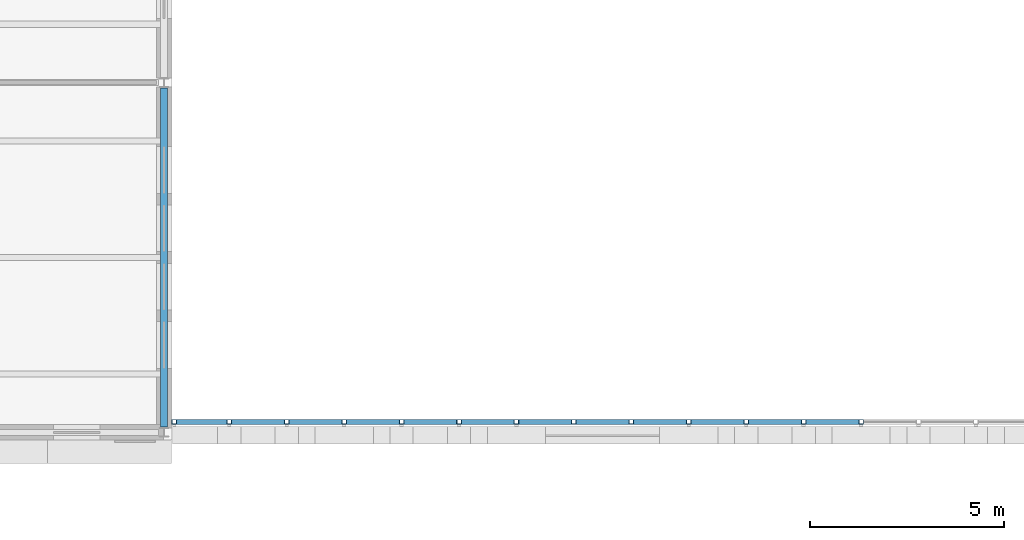
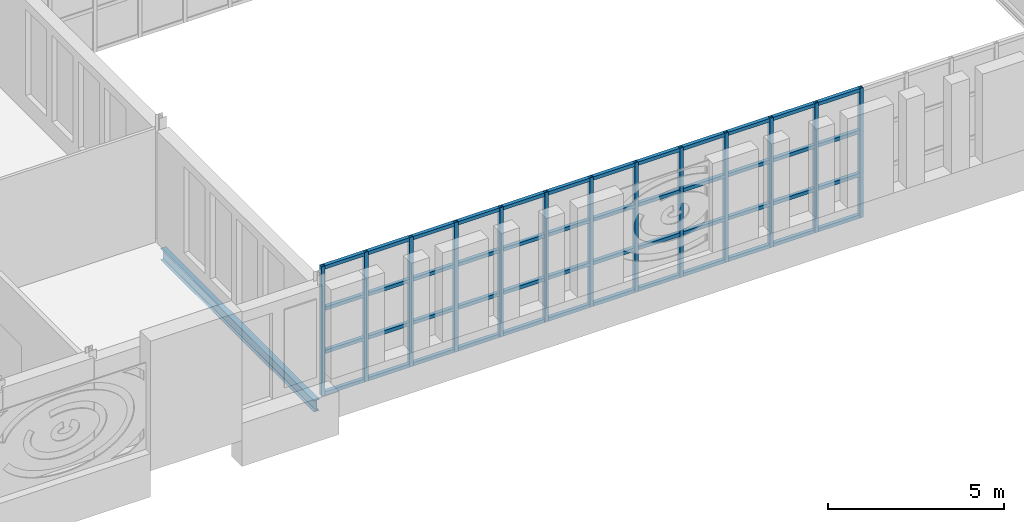
# One storey, part 28 of 131: 61 members, 1 beam, 1 element without a shape of its own.
"""IFC4 building model written with IfcOpenShell, lengths in metres."""

from ifc_helpers import new_model, si_unit, direction, frame, origin, origin_2d, place, context, subcontext, project, spatial, hollow_rectangle, i_section, extrude, material, material_profile, profile_set, type_object, element, aggregate, save


model = new_model("IFC4")

# Units and contexts
model_context = context("Model", 3, precision=1e-05, world=origin(), true_north=direction((0.0, 1.0)))
body_context = subcontext(model_context, "Body", "Model", "MODEL_VIEW")
ifc_project = project(units=[si_unit("LENGTHUNIT", "METRE"), si_unit("AREAUNIT", "SQUARE_METRE"), si_unit("VOLUMEUNIT", "CUBIC_METRE"), si_unit("PLANEANGLEUNIT", "RADIAN"), si_unit("MASSUNIT", "GRAM", prefix="KILO")], contexts=[model_context])

# Site, building, storey
site_placement = place(None, origin())
site = spatial("IfcSite", under=ifc_project, at=site_placement, CompositionType="ELEMENT")
building_placement = place(site_placement, origin())
building = spatial("IfcBuilding", under=site, at=building_placement, Name="Golden Quay Civic Hall", CompositionType="ELEMENT")
storey_placement = place(building_placement, frame((0.0, 0.0, 9.89990234375)))
storey = spatial("IfcBuildingStorey", under=building, at=storey_placement, Name="L02", CompositionType="ELEMENT", Elevation=9.89990234375)

# Beam
ifc_material_1 = material(Name="Steel S355", Category="steel")
ifc_material_profile_1 = material_profile(ifc_material_1, i_section(OverallWidth=0.179931640625, OverallDepth=0.39990234375, WebThickness=0.008544921875, FlangeThickness=0.013427734375, FilletRadius=0.02099609375, at=origin_2d()), Name="IPE 400")
ifc_profile_set_1 = profile_set([ifc_material_profile_1], Name="Steel S355")
beam_type = type_object("IfcBeamType", Name="Steel beam IPE 400", PredefinedType="BEAM", material=ifc_profile_set_1)
beam_placement = place(storey_placement, frame((72.0, 0.135009765625, -0.39990234375), z_axis=(0.0, 1.0, 0.0), x_axis=(-1.0, 0.0, 0.0)))
element("IfcBeam", 1, at=beam_placement, inside=storey, type_object=beam_type, Name="Beam L72-0", PredefinedType="BEAM", context=body_context, shape_type="SweptSolid", body=[
    extrude(i_section(OverallWidth=0.179931640625, OverallDepth=0.39990234375, WebThickness=0.008544921875, FlangeThickness=0.013427734375, FilletRadius=0.02099609375, at=origin_2d()), origin(), (0.0, 0.0, 1.0), 8.72998046875),
])

# Curtain wall, members
ifc_material_2 = material(Name="Glass and aluminium", Category="aluminium")
curtain_wall_type = type_object("IfcCurtainWallType", Name="Glazed curtain wall 1500 module", PredefinedType="NOTDEFINED", material=ifc_material_2)
curtain_wall_placement = place(storey_placement, origin())
curtain_wall = element("IfcCurtainWall", 2, at=curtain_wall_placement, inside=storey, type_object=curtain_wall_type, Name="CW1 curtain wall", PredefinedType="NOTDEFINED")
ifc_material_3 = material(Name="Steel S355", Category="steel")
ifc_material_profile_2 = material_profile(ifc_material_3, hollow_rectangle(XDim=0.1201171875, YDim=0.1201171875, WallThickness=0.008056640625, at=origin_2d()), Name="SHS 120x120x8")
ifc_profile_set_2 = profile_set([ifc_material_profile_2], Name="Steel S355")
member_type_1 = type_object("IfcMemberType", Name="Steel mullion SHS 120x120x8", PredefinedType="MULLION", material=ifc_profile_set_2)
member_1_placement = place(storey_placement, frame((72.260009765625, 0.27001953125, -0.199951171875), z_axis=(0.0, 0.0, 1.0), x_axis=(0.0, 1.0, 0.0)))
member_1 = element("IfcMember", 3, at=member_1_placement, type_object=member_type_1, Name="CW1 mullion 1", PredefinedType="MULLION", context=body_context, shape_type="SweptSolid", body=[
    extrude(hollow_rectangle(XDim=0.1201171875, YDim=0.1201171875, WallThickness=0.008056640625, at=origin_2d()), origin(), (0.0, 0.0, 1.0), 4.5),
])
member_2_placement = place(storey_placement, frame((73.677734375, 0.27001953125, -0.199951171875), z_axis=(0.0, 0.0, 1.0), x_axis=(0.0, 1.0, 0.0)))
member_2 = element("IfcMember", 4, at=member_2_placement, type_object=member_type_1, Name="CW1 mullion 2", PredefinedType="MULLION", context=body_context, shape_type="SweptSolid", body=[
    extrude(hollow_rectangle(XDim=0.1201171875, YDim=0.1201171875, WallThickness=0.008056640625, at=origin_2d()), origin(), (0.0, 0.0, 1.0), 4.5),
])
member_3_placement = place(storey_placement, frame((75.155517578125, 0.27001953125, -0.199951171875), z_axis=(0.0, 0.0, 1.0), x_axis=(0.0, 1.0, 0.0)))
member_3 = element("IfcMember", 5, at=member_3_placement, type_object=member_type_1, Name="CW1 mullion 3", PredefinedType="MULLION", context=body_context, shape_type="SweptSolid", body=[
    extrude(hollow_rectangle(XDim=0.1201171875, YDim=0.1201171875, WallThickness=0.008056640625, at=origin_2d()), origin(), (0.0, 0.0, 1.0), 4.5),
])
member_4_placement = place(storey_placement, frame((76.63330078125, 0.27001953125, -0.199951171875), z_axis=(0.0, 0.0, 1.0), x_axis=(0.0, 1.0, 0.0)))
member_4 = element("IfcMember", 6, at=member_4_placement, type_object=member_type_1, Name="CW1 mullion 4", PredefinedType="MULLION", context=body_context, shape_type="SweptSolid", body=[
    extrude(hollow_rectangle(XDim=0.1201171875, YDim=0.1201171875, WallThickness=0.008056640625, at=origin_2d()), origin(), (0.0, 0.0, 1.0), 4.5),
])
member_5_placement = place(storey_placement, frame((78.111083984375, 0.27001953125, -0.199951171875), z_axis=(0.0, 0.0, 1.0), x_axis=(0.0, 1.0, 0.0)))
member_5 = element("IfcMember", 7, at=member_5_placement, type_object=member_type_1, Name="CW1 mullion 5", PredefinedType="MULLION", context=body_context, shape_type="SweptSolid", body=[
    extrude(hollow_rectangle(XDim=0.1201171875, YDim=0.1201171875, WallThickness=0.008056640625, at=origin_2d()), origin(), (0.0, 0.0, 1.0), 4.5),
])
member_6_placement = place(storey_placement, frame((79.5888671875, 0.27001953125, -0.199951171875), z_axis=(0.0, 0.0, 1.0), x_axis=(0.0, 1.0, 0.0)))
member_6 = element("IfcMember", 8, at=member_6_placement, type_object=member_type_1, Name="CW1 mullion 6", PredefinedType="MULLION", context=body_context, shape_type="SweptSolid", body=[
    extrude(hollow_rectangle(XDim=0.1201171875, YDim=0.1201171875, WallThickness=0.008056640625, at=origin_2d()), origin(), (0.0, 0.0, 1.0), 4.5),
])
member_7_placement = place(storey_placement, frame((81.066650390625, 0.27001953125, -0.199951171875), z_axis=(0.0, 0.0, 1.0), x_axis=(0.0, 1.0, 0.0)))
member_7 = element("IfcMember", 9, at=member_7_placement, type_object=member_type_1, Name="CW1 mullion 7", PredefinedType="MULLION", context=body_context, shape_type="SweptSolid", body=[
    extrude(hollow_rectangle(XDim=0.1201171875, YDim=0.1201171875, WallThickness=0.008056640625, at=origin_2d()), origin(), (0.0, 0.0, 1.0), 4.5),
])
member_8_placement = place(storey_placement, frame((82.54443359375, 0.27001953125, -0.199951171875), z_axis=(0.0, 0.0, 1.0), x_axis=(0.0, 1.0, 0.0)))
member_8 = element("IfcMember", 10, at=member_8_placement, type_object=member_type_1, Name="CW1 mullion 8", PredefinedType="MULLION", context=body_context, shape_type="SweptSolid", body=[
    extrude(hollow_rectangle(XDim=0.1201171875, YDim=0.1201171875, WallThickness=0.008056640625, at=origin_2d()), origin(), (0.0, 0.0, 1.0), 4.5),
])
member_9_placement = place(storey_placement, frame((84.022216796875, 0.27001953125, -0.199951171875), z_axis=(0.0, 0.0, 1.0), x_axis=(0.0, 1.0, 0.0)))
member_9 = element("IfcMember", 11, at=member_9_placement, type_object=member_type_1, Name="CW1 mullion 9", PredefinedType="MULLION", context=body_context, shape_type="SweptSolid", body=[
    extrude(hollow_rectangle(XDim=0.1201171875, YDim=0.1201171875, WallThickness=0.008056640625, at=origin_2d()), origin(), (0.0, 0.0, 1.0), 4.5),
])
member_10_placement = place(storey_placement, frame((85.5, 0.27001953125, -0.199951171875), z_axis=(0.0, 0.0, 1.0), x_axis=(0.0, 1.0, 0.0)))
member_10 = element("IfcMember", 12, at=member_10_placement, type_object=member_type_1, Name="CW1 mullion 10", PredefinedType="MULLION", context=body_context, shape_type="SweptSolid", body=[
    extrude(hollow_rectangle(XDim=0.1201171875, YDim=0.1201171875, WallThickness=0.008056640625, at=origin_2d()), origin(), (0.0, 0.0, 1.0), 4.5),
])
member_11_placement = place(storey_placement, frame((86.977783203125, 0.27001953125, -0.199951171875), z_axis=(0.0, 0.0, 1.0), x_axis=(0.0, 1.0, 0.0)))
member_11 = element("IfcMember", 13, at=member_11_placement, type_object=member_type_1, Name="CW1 mullion 11", PredefinedType="MULLION", context=body_context, shape_type="SweptSolid", body=[
    extrude(hollow_rectangle(XDim=0.1201171875, YDim=0.1201171875, WallThickness=0.008056640625, at=origin_2d()), origin(), (0.0, 0.0, 1.0), 4.5),
])
member_12_placement = place(storey_placement, frame((88.45556640625, 0.27001953125, -0.199951171875), z_axis=(0.0, 0.0, 1.0), x_axis=(0.0, 1.0, 0.0)))
member_12 = element("IfcMember", 14, at=member_12_placement, type_object=member_type_1, Name="CW1 mullion 12", PredefinedType="MULLION", context=body_context, shape_type="SweptSolid", body=[
    extrude(hollow_rectangle(XDim=0.1201171875, YDim=0.1201171875, WallThickness=0.008056640625, at=origin_2d()), origin(), (0.0, 0.0, 1.0), 4.5),
])
member_13_placement = place(storey_placement, frame((89.933349609375, 0.27001953125, -0.199951171875), z_axis=(0.0, 0.0, 1.0), x_axis=(0.0, 1.0, 0.0)))
member_13 = element("IfcMember", 15, at=member_13_placement, type_object=member_type_1, Name="CW1 mullion 13", PredefinedType="MULLION", context=body_context, shape_type="SweptSolid", body=[
    extrude(hollow_rectangle(XDim=0.1201171875, YDim=0.1201171875, WallThickness=0.008056640625, at=origin_2d()), origin(), (0.0, 0.0, 1.0), 4.5),
])
ifc_material_4 = material(Name="Steel S355", Category="steel")
ifc_material_profile_3 = material_profile(ifc_material_4, hollow_rectangle(XDim=0.1201171875, YDim=0.1201171875, WallThickness=0.008056640625, at=origin_2d()), Name="SHS 120x120x8")
ifc_profile_set_3 = profile_set([ifc_material_profile_3], Name="Steel S355")
member_type_2 = type_object("IfcMemberType", Name="Steel transom SHS 120x120x8", PredefinedType="USERDEFINED", material=ifc_profile_set_3)
member_14_placement = place(storey_placement, frame((72.320068359375, 0.27001953125, -0.139892578125), z_axis=(1.0, 0.0, 0.0), x_axis=(0.0, 1.0, 0.0)))
member_14 = element("IfcMember", 16, at=member_14_placement, type_object=member_type_2, Name="CW1 transom 1.1", ObjectType="TRANSOM", PredefinedType="USERDEFINED", context=body_context, shape_type="SweptSolid", body=[
    extrude(hollow_rectangle(XDim=0.1201171875, YDim=0.1201171875, WallThickness=0.008056640625, at=origin_2d()), origin(), (0.0, 0.0, 1.0), 1.297607421875),
])
member_15_placement = place(storey_placement, frame((72.320068359375, 0.27001953125, 1.300048828125), z_axis=(1.0, 0.0, 0.0), x_axis=(0.0, 1.0, 0.0)))
member_15 = element("IfcMember", 17, at=member_15_placement, type_object=member_type_2, Name="CW1 transom 1.2", ObjectType="TRANSOM", PredefinedType="USERDEFINED", context=body_context, shape_type="SweptSolid", body=[
    extrude(hollow_rectangle(XDim=0.1201171875, YDim=0.1201171875, WallThickness=0.008056640625, at=origin_2d()), origin(), (0.0, 0.0, 1.0), 1.297607421875),
])
member_16_placement = place(storey_placement, frame((72.320068359375, 0.27001953125, 2.800048828125), z_axis=(1.0, 0.0, 0.0), x_axis=(0.0, 1.0, 0.0)))
member_16 = element("IfcMember", 18, at=member_16_placement, type_object=member_type_2, Name="CW1 transom 1.3", ObjectType="TRANSOM", PredefinedType="USERDEFINED", context=body_context, shape_type="SweptSolid", body=[
    extrude(hollow_rectangle(XDim=0.1201171875, YDim=0.1201171875, WallThickness=0.008056640625, at=origin_2d()), origin(), (0.0, 0.0, 1.0), 1.297607421875),
])
member_17_placement = place(storey_placement, frame((72.320068359375, 0.27001953125, 4.239990234375), z_axis=(1.0, 0.0, 0.0), x_axis=(0.0, 1.0, 0.0)))
member_17 = element("IfcMember", 19, at=member_17_placement, type_object=member_type_2, Name="CW1 transom 1.4", ObjectType="TRANSOM", PredefinedType="USERDEFINED", context=body_context, shape_type="SweptSolid", body=[
    extrude(hollow_rectangle(XDim=0.1201171875, YDim=0.1201171875, WallThickness=0.008056640625, at=origin_2d()), origin(), (0.0, 0.0, 1.0), 1.297607421875),
])
member_18_placement = place(storey_placement, frame((73.73779296875, 0.27001953125, -0.139892578125), z_axis=(1.0, 0.0, 0.0), x_axis=(0.0, 1.0, 0.0)))
member_18 = element("IfcMember", 20, at=member_18_placement, type_object=member_type_2, Name="CW1 transom 2.1", ObjectType="TRANSOM", PredefinedType="USERDEFINED", context=body_context, shape_type="SweptSolid", body=[
    extrude(hollow_rectangle(XDim=0.1201171875, YDim=0.1201171875, WallThickness=0.008056640625, at=origin_2d()), origin(), (0.0, 0.0, 1.0), 1.357666015625),
])
member_19_placement = place(storey_placement, frame((73.73779296875, 0.27001953125, 1.300048828125), z_axis=(1.0, 0.0, 0.0), x_axis=(0.0, 1.0, 0.0)))
member_19 = element("IfcMember", 21, at=member_19_placement, type_object=member_type_2, Name="CW1 transom 2.2", ObjectType="TRANSOM", PredefinedType="USERDEFINED", context=body_context, shape_type="SweptSolid", body=[
    extrude(hollow_rectangle(XDim=0.1201171875, YDim=0.1201171875, WallThickness=0.008056640625, at=origin_2d()), origin(), (0.0, 0.0, 1.0), 1.357666015625),
])
member_20_placement = place(storey_placement, frame((73.73779296875, 0.27001953125, 2.800048828125), z_axis=(1.0, 0.0, 0.0), x_axis=(0.0, 1.0, 0.0)))
member_20 = element("IfcMember", 22, at=member_20_placement, type_object=member_type_2, Name="CW1 transom 2.3", ObjectType="TRANSOM", PredefinedType="USERDEFINED", context=body_context, shape_type="SweptSolid", body=[
    extrude(hollow_rectangle(XDim=0.1201171875, YDim=0.1201171875, WallThickness=0.008056640625, at=origin_2d()), origin(), (0.0, 0.0, 1.0), 1.357666015625),
])
member_21_placement = place(storey_placement, frame((73.73779296875, 0.27001953125, 4.239990234375), z_axis=(1.0, 0.0, 0.0), x_axis=(0.0, 1.0, 0.0)))
member_21 = element("IfcMember", 23, at=member_21_placement, type_object=member_type_2, Name="CW1 transom 2.4", ObjectType="TRANSOM", PredefinedType="USERDEFINED", context=body_context, shape_type="SweptSolid", body=[
    extrude(hollow_rectangle(XDim=0.1201171875, YDim=0.1201171875, WallThickness=0.008056640625, at=origin_2d()), origin(), (0.0, 0.0, 1.0), 1.357666015625),
])
member_22_placement = place(storey_placement, frame((75.215576171875, 0.27001953125, -0.139892578125), z_axis=(1.0, 0.0, 0.0), x_axis=(0.0, 1.0, 0.0)))
member_22 = element("IfcMember", 24, at=member_22_placement, type_object=member_type_2, Name="CW1 transom 3.1", ObjectType="TRANSOM", PredefinedType="USERDEFINED", context=body_context, shape_type="SweptSolid", body=[
    extrude(hollow_rectangle(XDim=0.1201171875, YDim=0.1201171875, WallThickness=0.008056640625, at=origin_2d()), origin(), (0.0, 0.0, 1.0), 1.357666015625),
])
member_23_placement = place(storey_placement, frame((75.215576171875, 0.27001953125, 1.300048828125), z_axis=(1.0, 0.0, 0.0), x_axis=(0.0, 1.0, 0.0)))
member_23 = element("IfcMember", 25, at=member_23_placement, type_object=member_type_2, Name="CW1 transom 3.2", ObjectType="TRANSOM", PredefinedType="USERDEFINED", context=body_context, shape_type="SweptSolid", body=[
    extrude(hollow_rectangle(XDim=0.1201171875, YDim=0.1201171875, WallThickness=0.008056640625, at=origin_2d()), origin(), (0.0, 0.0, 1.0), 1.357666015625),
])
member_24_placement = place(storey_placement, frame((75.215576171875, 0.27001953125, 2.800048828125), z_axis=(1.0, 0.0, 0.0), x_axis=(0.0, 1.0, 0.0)))
member_24 = element("IfcMember", 26, at=member_24_placement, type_object=member_type_2, Name="CW1 transom 3.3", ObjectType="TRANSOM", PredefinedType="USERDEFINED", context=body_context, shape_type="SweptSolid", body=[
    extrude(hollow_rectangle(XDim=0.1201171875, YDim=0.1201171875, WallThickness=0.008056640625, at=origin_2d()), origin(), (0.0, 0.0, 1.0), 1.357666015625),
])
member_25_placement = place(storey_placement, frame((75.215576171875, 0.27001953125, 4.239990234375), z_axis=(1.0, 0.0, 0.0), x_axis=(0.0, 1.0, 0.0)))
member_25 = element("IfcMember", 27, at=member_25_placement, type_object=member_type_2, Name="CW1 transom 3.4", ObjectType="TRANSOM", PredefinedType="USERDEFINED", context=body_context, shape_type="SweptSolid", body=[
    extrude(hollow_rectangle(XDim=0.1201171875, YDim=0.1201171875, WallThickness=0.008056640625, at=origin_2d()), origin(), (0.0, 0.0, 1.0), 1.357666015625),
])
member_26_placement = place(storey_placement, frame((76.693359375, 0.27001953125, -0.139892578125), z_axis=(1.0, 0.0, 0.0), x_axis=(0.0, 1.0, 0.0)))
member_26 = element("IfcMember", 28, at=member_26_placement, type_object=member_type_2, Name="CW1 transom 4.1", ObjectType="TRANSOM", PredefinedType="USERDEFINED", context=body_context, shape_type="SweptSolid", body=[
    extrude(hollow_rectangle(XDim=0.1201171875, YDim=0.1201171875, WallThickness=0.008056640625, at=origin_2d()), origin(), (0.0, 0.0, 1.0), 1.357666015625),
])
member_27_placement = place(storey_placement, frame((76.693359375, 0.27001953125, 1.300048828125), z_axis=(1.0, 0.0, 0.0), x_axis=(0.0, 1.0, 0.0)))
member_27 = element("IfcMember", 29, at=member_27_placement, type_object=member_type_2, Name="CW1 transom 4.2", ObjectType="TRANSOM", PredefinedType="USERDEFINED", context=body_context, shape_type="SweptSolid", body=[
    extrude(hollow_rectangle(XDim=0.1201171875, YDim=0.1201171875, WallThickness=0.008056640625, at=origin_2d()), origin(), (0.0, 0.0, 1.0), 1.357666015625),
])
member_28_placement = place(storey_placement, frame((76.693359375, 0.27001953125, 2.800048828125), z_axis=(1.0, 0.0, 0.0), x_axis=(0.0, 1.0, 0.0)))
member_28 = element("IfcMember", 30, at=member_28_placement, type_object=member_type_2, Name="CW1 transom 4.3", ObjectType="TRANSOM", PredefinedType="USERDEFINED", context=body_context, shape_type="SweptSolid", body=[
    extrude(hollow_rectangle(XDim=0.1201171875, YDim=0.1201171875, WallThickness=0.008056640625, at=origin_2d()), origin(), (0.0, 0.0, 1.0), 1.357666015625),
])
member_29_placement = place(storey_placement, frame((76.693359375, 0.27001953125, 4.239990234375), z_axis=(1.0, 0.0, 0.0), x_axis=(0.0, 1.0, 0.0)))
member_29 = element("IfcMember", 31, at=member_29_placement, type_object=member_type_2, Name="CW1 transom 4.4", ObjectType="TRANSOM", PredefinedType="USERDEFINED", context=body_context, shape_type="SweptSolid", body=[
    extrude(hollow_rectangle(XDim=0.1201171875, YDim=0.1201171875, WallThickness=0.008056640625, at=origin_2d()), origin(), (0.0, 0.0, 1.0), 1.357666015625),
])
member_30_placement = place(storey_placement, frame((78.171142578125, 0.27001953125, -0.139892578125), z_axis=(1.0, 0.0, 0.0), x_axis=(0.0, 1.0, 0.0)))
member_30 = element("IfcMember", 32, at=member_30_placement, type_object=member_type_2, Name="CW1 transom 5.1", ObjectType="TRANSOM", PredefinedType="USERDEFINED", context=body_context, shape_type="SweptSolid", body=[
    extrude(hollow_rectangle(XDim=0.1201171875, YDim=0.1201171875, WallThickness=0.008056640625, at=origin_2d()), origin(), (0.0, 0.0, 1.0), 1.357666015625),
])
member_31_placement = place(storey_placement, frame((78.171142578125, 0.27001953125, 1.300048828125), z_axis=(1.0, 0.0, 0.0), x_axis=(0.0, 1.0, 0.0)))
member_31 = element("IfcMember", 33, at=member_31_placement, type_object=member_type_2, Name="CW1 transom 5.2", ObjectType="TRANSOM", PredefinedType="USERDEFINED", context=body_context, shape_type="SweptSolid", body=[
    extrude(hollow_rectangle(XDim=0.1201171875, YDim=0.1201171875, WallThickness=0.008056640625, at=origin_2d()), origin(), (0.0, 0.0, 1.0), 1.357666015625),
])
member_32_placement = place(storey_placement, frame((78.171142578125, 0.27001953125, 2.800048828125), z_axis=(1.0, 0.0, 0.0), x_axis=(0.0, 1.0, 0.0)))
member_32 = element("IfcMember", 34, at=member_32_placement, type_object=member_type_2, Name="CW1 transom 5.3", ObjectType="TRANSOM", PredefinedType="USERDEFINED", context=body_context, shape_type="SweptSolid", body=[
    extrude(hollow_rectangle(XDim=0.1201171875, YDim=0.1201171875, WallThickness=0.008056640625, at=origin_2d()), origin(), (0.0, 0.0, 1.0), 1.357666015625),
])
member_33_placement = place(storey_placement, frame((78.171142578125, 0.27001953125, 4.239990234375), z_axis=(1.0, 0.0, 0.0), x_axis=(0.0, 1.0, 0.0)))
member_33 = element("IfcMember", 35, at=member_33_placement, type_object=member_type_2, Name="CW1 transom 5.4", ObjectType="TRANSOM", PredefinedType="USERDEFINED", context=body_context, shape_type="SweptSolid", body=[
    extrude(hollow_rectangle(XDim=0.1201171875, YDim=0.1201171875, WallThickness=0.008056640625, at=origin_2d()), origin(), (0.0, 0.0, 1.0), 1.357666015625),
])
member_34_placement = place(storey_placement, frame((79.64892578125, 0.27001953125, -0.139892578125), z_axis=(1.0, 0.0, 0.0), x_axis=(0.0, 1.0, 0.0)))
member_34 = element("IfcMember", 36, at=member_34_placement, type_object=member_type_2, Name="CW1 transom 6.1", ObjectType="TRANSOM", PredefinedType="USERDEFINED", context=body_context, shape_type="SweptSolid", body=[
    extrude(hollow_rectangle(XDim=0.1201171875, YDim=0.1201171875, WallThickness=0.008056640625, at=origin_2d()), origin(), (0.0, 0.0, 1.0), 1.357666015625),
])
member_35_placement = place(storey_placement, frame((79.64892578125, 0.27001953125, 1.300048828125), z_axis=(1.0, 0.0, 0.0), x_axis=(0.0, 1.0, 0.0)))
member_35 = element("IfcMember", 37, at=member_35_placement, type_object=member_type_2, Name="CW1 transom 6.2", ObjectType="TRANSOM", PredefinedType="USERDEFINED", context=body_context, shape_type="SweptSolid", body=[
    extrude(hollow_rectangle(XDim=0.1201171875, YDim=0.1201171875, WallThickness=0.008056640625, at=origin_2d()), origin(), (0.0, 0.0, 1.0), 1.357666015625),
])
member_36_placement = place(storey_placement, frame((79.64892578125, 0.27001953125, 2.800048828125), z_axis=(1.0, 0.0, 0.0), x_axis=(0.0, 1.0, 0.0)))
member_36 = element("IfcMember", 38, at=member_36_placement, type_object=member_type_2, Name="CW1 transom 6.3", ObjectType="TRANSOM", PredefinedType="USERDEFINED", context=body_context, shape_type="SweptSolid", body=[
    extrude(hollow_rectangle(XDim=0.1201171875, YDim=0.1201171875, WallThickness=0.008056640625, at=origin_2d()), origin(), (0.0, 0.0, 1.0), 1.357666015625),
])
member_37_placement = place(storey_placement, frame((79.64892578125, 0.27001953125, 4.239990234375), z_axis=(1.0, 0.0, 0.0), x_axis=(0.0, 1.0, 0.0)))
member_37 = element("IfcMember", 39, at=member_37_placement, type_object=member_type_2, Name="CW1 transom 6.4", ObjectType="TRANSOM", PredefinedType="USERDEFINED", context=body_context, shape_type="SweptSolid", body=[
    extrude(hollow_rectangle(XDim=0.1201171875, YDim=0.1201171875, WallThickness=0.008056640625, at=origin_2d()), origin(), (0.0, 0.0, 1.0), 1.357666015625),
])
member_38_placement = place(storey_placement, frame((81.126708984375, 0.27001953125, -0.139892578125), z_axis=(1.0, 0.0, 0.0), x_axis=(0.0, 1.0, 0.0)))
member_38 = element("IfcMember", 40, at=member_38_placement, type_object=member_type_2, Name="CW1 transom 7.1", ObjectType="TRANSOM", PredefinedType="USERDEFINED", context=body_context, shape_type="SweptSolid", body=[
    extrude(hollow_rectangle(XDim=0.1201171875, YDim=0.1201171875, WallThickness=0.008056640625, at=origin_2d()), origin(), (0.0, 0.0, 1.0), 1.357666015625),
])
member_39_placement = place(storey_placement, frame((81.126708984375, 0.27001953125, 1.300048828125), z_axis=(1.0, 0.0, 0.0), x_axis=(0.0, 1.0, 0.0)))
member_39 = element("IfcMember", 41, at=member_39_placement, type_object=member_type_2, Name="CW1 transom 7.2", ObjectType="TRANSOM", PredefinedType="USERDEFINED", context=body_context, shape_type="SweptSolid", body=[
    extrude(hollow_rectangle(XDim=0.1201171875, YDim=0.1201171875, WallThickness=0.008056640625, at=origin_2d()), origin(), (0.0, 0.0, 1.0), 1.357666015625),
])
member_40_placement = place(storey_placement, frame((81.126708984375, 0.27001953125, 2.800048828125), z_axis=(1.0, 0.0, 0.0), x_axis=(0.0, 1.0, 0.0)))
member_40 = element("IfcMember", 42, at=member_40_placement, type_object=member_type_2, Name="CW1 transom 7.3", ObjectType="TRANSOM", PredefinedType="USERDEFINED", context=body_context, shape_type="SweptSolid", body=[
    extrude(hollow_rectangle(XDim=0.1201171875, YDim=0.1201171875, WallThickness=0.008056640625, at=origin_2d()), origin(), (0.0, 0.0, 1.0), 1.357666015625),
])
member_41_placement = place(storey_placement, frame((81.126708984375, 0.27001953125, 4.239990234375), z_axis=(1.0, 0.0, 0.0), x_axis=(0.0, 1.0, 0.0)))
member_41 = element("IfcMember", 43, at=member_41_placement, type_object=member_type_2, Name="CW1 transom 7.4", ObjectType="TRANSOM", PredefinedType="USERDEFINED", context=body_context, shape_type="SweptSolid", body=[
    extrude(hollow_rectangle(XDim=0.1201171875, YDim=0.1201171875, WallThickness=0.008056640625, at=origin_2d()), origin(), (0.0, 0.0, 1.0), 1.357666015625),
])
member_42_placement = place(storey_placement, frame((82.6044921875, 0.27001953125, -0.139892578125), z_axis=(1.0, 0.0, 0.0), x_axis=(0.0, 1.0, 0.0)))
member_42 = element("IfcMember", 44, at=member_42_placement, type_object=member_type_2, Name="CW1 transom 8.1", ObjectType="TRANSOM", PredefinedType="USERDEFINED", context=body_context, shape_type="SweptSolid", body=[
    extrude(hollow_rectangle(XDim=0.1201171875, YDim=0.1201171875, WallThickness=0.008056640625, at=origin_2d()), origin(), (0.0, 0.0, 1.0), 1.357666015625),
])
member_43_placement = place(storey_placement, frame((82.6044921875, 0.27001953125, 1.300048828125), z_axis=(1.0, 0.0, 0.0), x_axis=(0.0, 1.0, 0.0)))
member_43 = element("IfcMember", 45, at=member_43_placement, type_object=member_type_2, Name="CW1 transom 8.2", ObjectType="TRANSOM", PredefinedType="USERDEFINED", context=body_context, shape_type="SweptSolid", body=[
    extrude(hollow_rectangle(XDim=0.1201171875, YDim=0.1201171875, WallThickness=0.008056640625, at=origin_2d()), origin(), (0.0, 0.0, 1.0), 1.357666015625),
])
member_44_placement = place(storey_placement, frame((82.6044921875, 0.27001953125, 2.800048828125), z_axis=(1.0, 0.0, 0.0), x_axis=(0.0, 1.0, 0.0)))
member_44 = element("IfcMember", 46, at=member_44_placement, type_object=member_type_2, Name="CW1 transom 8.3", ObjectType="TRANSOM", PredefinedType="USERDEFINED", context=body_context, shape_type="SweptSolid", body=[
    extrude(hollow_rectangle(XDim=0.1201171875, YDim=0.1201171875, WallThickness=0.008056640625, at=origin_2d()), origin(), (0.0, 0.0, 1.0), 1.357666015625),
])
member_45_placement = place(storey_placement, frame((82.6044921875, 0.27001953125, 4.239990234375), z_axis=(1.0, 0.0, 0.0), x_axis=(0.0, 1.0, 0.0)))
member_45 = element("IfcMember", 47, at=member_45_placement, type_object=member_type_2, Name="CW1 transom 8.4", ObjectType="TRANSOM", PredefinedType="USERDEFINED", context=body_context, shape_type="SweptSolid", body=[
    extrude(hollow_rectangle(XDim=0.1201171875, YDim=0.1201171875, WallThickness=0.008056640625, at=origin_2d()), origin(), (0.0, 0.0, 1.0), 1.357666015625),
])
member_46_placement = place(storey_placement, frame((84.082275390625, 0.27001953125, -0.139892578125), z_axis=(1.0, 0.0, 0.0), x_axis=(0.0, 1.0, 0.0)))
member_46 = element("IfcMember", 48, at=member_46_placement, type_object=member_type_2, Name="CW1 transom 9.1", ObjectType="TRANSOM", PredefinedType="USERDEFINED", context=body_context, shape_type="SweptSolid", body=[
    extrude(hollow_rectangle(XDim=0.1201171875, YDim=0.1201171875, WallThickness=0.008056640625, at=origin_2d()), origin(), (0.0, 0.0, 1.0), 1.357666015625),
])
member_47_placement = place(storey_placement, frame((84.082275390625, 0.27001953125, 1.300048828125), z_axis=(1.0, 0.0, 0.0), x_axis=(0.0, 1.0, 0.0)))
member_47 = element("IfcMember", 49, at=member_47_placement, type_object=member_type_2, Name="CW1 transom 9.2", ObjectType="TRANSOM", PredefinedType="USERDEFINED", context=body_context, shape_type="SweptSolid", body=[
    extrude(hollow_rectangle(XDim=0.1201171875, YDim=0.1201171875, WallThickness=0.008056640625, at=origin_2d()), origin(), (0.0, 0.0, 1.0), 1.357666015625),
])
member_48_placement = place(storey_placement, frame((84.082275390625, 0.27001953125, 2.800048828125), z_axis=(1.0, 0.0, 0.0), x_axis=(0.0, 1.0, 0.0)))
member_48 = element("IfcMember", 50, at=member_48_placement, type_object=member_type_2, Name="CW1 transom 9.3", ObjectType="TRANSOM", PredefinedType="USERDEFINED", context=body_context, shape_type="SweptSolid", body=[
    extrude(hollow_rectangle(XDim=0.1201171875, YDim=0.1201171875, WallThickness=0.008056640625, at=origin_2d()), origin(), (0.0, 0.0, 1.0), 1.357666015625),
])
member_49_placement = place(storey_placement, frame((84.082275390625, 0.27001953125, 4.239990234375), z_axis=(1.0, 0.0, 0.0), x_axis=(0.0, 1.0, 0.0)))
member_49 = element("IfcMember", 51, at=member_49_placement, type_object=member_type_2, Name="CW1 transom 9.4", ObjectType="TRANSOM", PredefinedType="USERDEFINED", context=body_context, shape_type="SweptSolid", body=[
    extrude(hollow_rectangle(XDim=0.1201171875, YDim=0.1201171875, WallThickness=0.008056640625, at=origin_2d()), origin(), (0.0, 0.0, 1.0), 1.357666015625),
])
member_50_placement = place(storey_placement, frame((85.56005859375, 0.27001953125, -0.139892578125), z_axis=(1.0, 0.0, 0.0), x_axis=(0.0, 1.0, 0.0)))
member_50 = element("IfcMember", 52, at=member_50_placement, type_object=member_type_2, Name="CW1 transom 10.1", ObjectType="TRANSOM", PredefinedType="USERDEFINED", context=body_context, shape_type="SweptSolid", body=[
    extrude(hollow_rectangle(XDim=0.1201171875, YDim=0.1201171875, WallThickness=0.008056640625, at=origin_2d()), origin(), (0.0, 0.0, 1.0), 1.357666015625),
])
member_51_placement = place(storey_placement, frame((85.56005859375, 0.27001953125, 1.300048828125), z_axis=(1.0, 0.0, 0.0), x_axis=(0.0, 1.0, 0.0)))
member_51 = element("IfcMember", 53, at=member_51_placement, type_object=member_type_2, Name="CW1 transom 10.2", ObjectType="TRANSOM", PredefinedType="USERDEFINED", context=body_context, shape_type="SweptSolid", body=[
    extrude(hollow_rectangle(XDim=0.1201171875, YDim=0.1201171875, WallThickness=0.008056640625, at=origin_2d()), origin(), (0.0, 0.0, 1.0), 1.357666015625),
])
member_52_placement = place(storey_placement, frame((85.56005859375, 0.27001953125, 2.800048828125), z_axis=(1.0, 0.0, 0.0), x_axis=(0.0, 1.0, 0.0)))
member_52 = element("IfcMember", 54, at=member_52_placement, type_object=member_type_2, Name="CW1 transom 10.3", ObjectType="TRANSOM", PredefinedType="USERDEFINED", context=body_context, shape_type="SweptSolid", body=[
    extrude(hollow_rectangle(XDim=0.1201171875, YDim=0.1201171875, WallThickness=0.008056640625, at=origin_2d()), origin(), (0.0, 0.0, 1.0), 1.357666015625),
])
member_53_placement = place(storey_placement, frame((85.56005859375, 0.27001953125, 4.239990234375), z_axis=(1.0, 0.0, 0.0), x_axis=(0.0, 1.0, 0.0)))
member_53 = element("IfcMember", 55, at=member_53_placement, type_object=member_type_2, Name="CW1 transom 10.4", ObjectType="TRANSOM", PredefinedType="USERDEFINED", context=body_context, shape_type="SweptSolid", body=[
    extrude(hollow_rectangle(XDim=0.1201171875, YDim=0.1201171875, WallThickness=0.008056640625, at=origin_2d()), origin(), (0.0, 0.0, 1.0), 1.357666015625),
])
member_54_placement = place(storey_placement, frame((87.037841796875, 0.27001953125, -0.139892578125), z_axis=(1.0, 0.0, 0.0), x_axis=(0.0, 1.0, 0.0)))
member_54 = element("IfcMember", 56, at=member_54_placement, type_object=member_type_2, Name="CW1 transom 11.1", ObjectType="TRANSOM", PredefinedType="USERDEFINED", context=body_context, shape_type="SweptSolid", body=[
    extrude(hollow_rectangle(XDim=0.1201171875, YDim=0.1201171875, WallThickness=0.008056640625, at=origin_2d()), origin(), (0.0, 0.0, 1.0), 1.357666015625),
])
member_55_placement = place(storey_placement, frame((87.037841796875, 0.27001953125, 1.300048828125), z_axis=(1.0, 0.0, 0.0), x_axis=(0.0, 1.0, 0.0)))
member_55 = element("IfcMember", 57, at=member_55_placement, type_object=member_type_2, Name="CW1 transom 11.2", ObjectType="TRANSOM", PredefinedType="USERDEFINED", context=body_context, shape_type="SweptSolid", body=[
    extrude(hollow_rectangle(XDim=0.1201171875, YDim=0.1201171875, WallThickness=0.008056640625, at=origin_2d()), origin(), (0.0, 0.0, 1.0), 1.357666015625),
])
member_56_placement = place(storey_placement, frame((87.037841796875, 0.27001953125, 2.800048828125), z_axis=(1.0, 0.0, 0.0), x_axis=(0.0, 1.0, 0.0)))
member_56 = element("IfcMember", 58, at=member_56_placement, type_object=member_type_2, Name="CW1 transom 11.3", ObjectType="TRANSOM", PredefinedType="USERDEFINED", context=body_context, shape_type="SweptSolid", body=[
    extrude(hollow_rectangle(XDim=0.1201171875, YDim=0.1201171875, WallThickness=0.008056640625, at=origin_2d()), origin(), (0.0, 0.0, 1.0), 1.357666015625),
])
member_57_placement = place(storey_placement, frame((87.037841796875, 0.27001953125, 4.239990234375), z_axis=(1.0, 0.0, 0.0), x_axis=(0.0, 1.0, 0.0)))
member_57 = element("IfcMember", 59, at=member_57_placement, type_object=member_type_2, Name="CW1 transom 11.4", ObjectType="TRANSOM", PredefinedType="USERDEFINED", context=body_context, shape_type="SweptSolid", body=[
    extrude(hollow_rectangle(XDim=0.1201171875, YDim=0.1201171875, WallThickness=0.008056640625, at=origin_2d()), origin(), (0.0, 0.0, 1.0), 1.357666015625),
])
member_58_placement = place(storey_placement, frame((88.515625, 0.27001953125, -0.139892578125), z_axis=(1.0, 0.0, 0.0), x_axis=(0.0, 1.0, 0.0)))
member_58 = element("IfcMember", 60, at=member_58_placement, type_object=member_type_2, Name="CW1 transom 12.1", ObjectType="TRANSOM", PredefinedType="USERDEFINED", context=body_context, shape_type="SweptSolid", body=[
    extrude(hollow_rectangle(XDim=0.1201171875, YDim=0.1201171875, WallThickness=0.008056640625, at=origin_2d()), origin(), (0.0, 0.0, 1.0), 1.357666015625),
])
member_59_placement = place(storey_placement, frame((88.515625, 0.27001953125, 1.300048828125), z_axis=(1.0, 0.0, 0.0), x_axis=(0.0, 1.0, 0.0)))
member_59 = element("IfcMember", 61, at=member_59_placement, type_object=member_type_2, Name="CW1 transom 12.2", ObjectType="TRANSOM", PredefinedType="USERDEFINED", context=body_context, shape_type="SweptSolid", body=[
    extrude(hollow_rectangle(XDim=0.1201171875, YDim=0.1201171875, WallThickness=0.008056640625, at=origin_2d()), origin(), (0.0, 0.0, 1.0), 1.357666015625),
])
member_60_placement = place(storey_placement, frame((88.515625, 0.27001953125, 2.800048828125), z_axis=(1.0, 0.0, 0.0), x_axis=(0.0, 1.0, 0.0)))
member_60 = element("IfcMember", 62, at=member_60_placement, type_object=member_type_2, Name="CW1 transom 12.3", ObjectType="TRANSOM", PredefinedType="USERDEFINED", context=body_context, shape_type="SweptSolid", body=[
    extrude(hollow_rectangle(XDim=0.1201171875, YDim=0.1201171875, WallThickness=0.008056640625, at=origin_2d()), origin(), (0.0, 0.0, 1.0), 1.357666015625),
])
member_61_placement = place(storey_placement, frame((88.515625, 0.27001953125, 4.239990234375), z_axis=(1.0, 0.0, 0.0), x_axis=(0.0, 1.0, 0.0)))
member_61 = element("IfcMember", 63, at=member_61_placement, type_object=member_type_2, Name="CW1 transom 12.4", ObjectType="TRANSOM", PredefinedType="USERDEFINED", context=body_context, shape_type="SweptSolid", body=[
    extrude(hollow_rectangle(XDim=0.1201171875, YDim=0.1201171875, WallThickness=0.008056640625, at=origin_2d()), origin(), (0.0, 0.0, 1.0), 1.357666015625),
])
aggregate(curtain_wall, [member_1, member_2, member_3, member_4, member_5, member_6, member_7, member_8, member_9, member_10, member_11, member_12, member_13, member_14, member_15, member_16, member_17, member_18, member_19, member_20, member_21, member_22, member_23, member_24, member_25, member_26, member_27, member_28, member_29, member_30, member_31, member_32, member_33, member_34, member_35, member_36, member_37, member_38, member_39, member_40, member_41, member_42, member_43, member_44, member_45, member_46, member_47, member_48, member_49, member_50, member_51, member_52, member_53, member_54, member_55, member_56, member_57, member_58, member_59, member_60, member_61])

save(model, "model.ifc")
